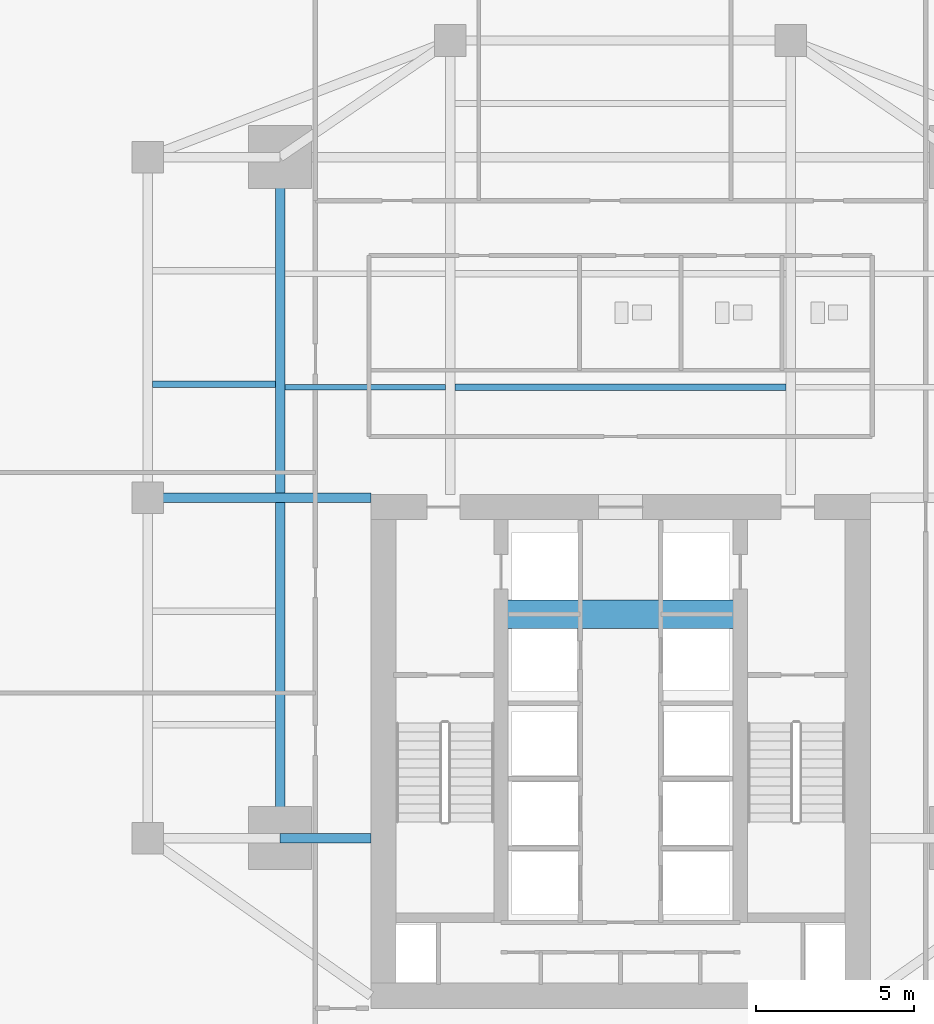
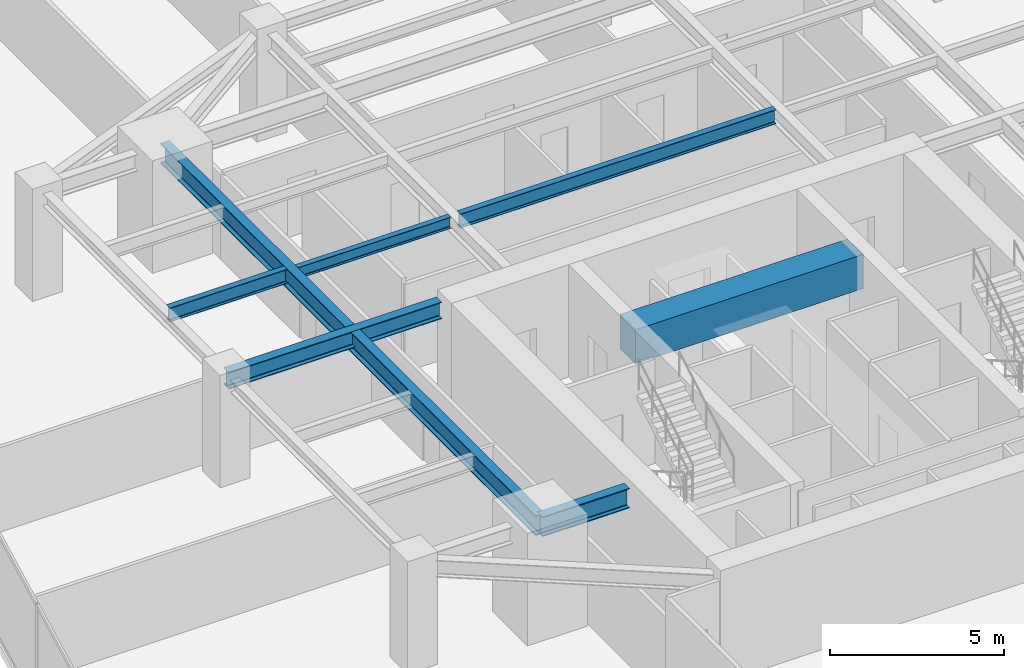
# One storey, part 9 of 26: 7 beams.
"""IFC4 building model written with IfcOpenShell, lengths in metres."""

from ifc_helpers import new_model, si_unit, direction, frame, origin, origin_2d, place, context, subcontext, project, spatial, rectangle, i_section, extrude, source, transform, mapped, material, material_profile, profile_set, type_object, type_shapes, element, save


model = new_model("IFC4")

# Units and contexts
model_context = context("Model", 3, precision=1e-05, world=origin(), true_north=direction((0.0, 1.0)))
body_context = subcontext(model_context, "Body", "Model", "MODEL_VIEW")
ifc_project = project(units=[si_unit("LENGTHUNIT", "METRE"), si_unit("AREAUNIT", "SQUARE_METRE"), si_unit("VOLUMEUNIT", "CUBIC_METRE"), si_unit("PLANEANGLEUNIT", "RADIAN"), si_unit("MASSUNIT", "GRAM", prefix="KILO")], contexts=[model_context])

# Site, building, storey
site_placement = place(None, origin())
site = spatial("IfcSite", under=ifc_project, at=site_placement, CompositionType="ELEMENT")
building_placement = place(site_placement, origin())
building = spatial("IfcBuilding", under=site, at=building_placement, Name="Krantzveldt Concourse Tower", CompositionType="ELEMENT")
storey_placement = place(building_placement, frame((0.0, 0.0, 90.050048828125)))
storey = spatial("IfcBuildingStorey", under=building, at=storey_placement, Name="L21", CompositionType="ELEMENT", Elevation=90.050048828125)

# Beams
ifc_material_1 = material(Name="Concrete C50/60", Category="concrete")
ifc_material_profile_1 = material_profile(ifc_material_1, rectangle(XDim=0.89990234375, YDim=1.199951171875, at=origin_2d()), Name="Concrete C50/60", Category="concrete")
ifc_profile_set_1 = profile_set([ifc_material_profile_1], Name="Concrete C50/60 - RC-CB 900x1200")
beam_type_1 = type_object("IfcBeamType", Name="BM-CB-1200", PredefinedType="LINTEL", material=ifc_profile_set_1)
shared_shape_1 = source(origin(), body_context, "Body", "SweptSolid", [
    extrude(rectangle(XDim=0.89990234375, YDim=1.199951171875, at=origin_2d()), origin(), (0.0, 0.0, 1.0), 7.580078125),
])
type_shapes(beam_type_1, [shared_shape_1])
beam_1_placement = place(storey_placement, frame((32.2099609375, 23.0, 3.070068359375), z_axis=(1.0, 0.0, 0.0), x_axis=(0.0, 1.0, 0.0)))
element("IfcBeam", 1, at=beam_1_placement, inside=storey, type_object=beam_type_1, Name="CB-L21-01", PredefinedType="LINTEL", context=body_context, shape_type="MappedRepresentation", body=[
    mapped(shared_shape_1, transform((0.0, 0.0, 0.0), x_axis=(1.0, 0.0, 0.0), y_axis=(0.0, 1.0, 0.0), z_axis=(0.0, 0.0, 1.0), scale=1.0)),
])
ifc_material_2 = material(Name="Steel S355J2", Category="steel")
ifc_material_profile_2 = material_profile(ifc_material_2, i_section(OverallWidth=0.300048828125, OverallDepth=0.699951171875, WebThickness=0.01708984375, FlangeThickness=0.031982421875, FilletRadius=0.027099609375, at=origin_2d()), Name="Steel S355J2", Category="steel")
ifc_profile_set_2 = profile_set([ifc_material_profile_2], Name="Steel S355J2 - HEB 700")
beam_type_2 = type_object("IfcBeamType", Name="BM-B-HEB700", PredefinedType="BEAM", material=ifc_profile_set_2)
shared_shape_2 = source(origin(), body_context, "Body", "SweptSolid", [
    extrude(i_section(OverallWidth=0.300048828125, OverallDepth=0.699951171875, WebThickness=0.01708984375, FlangeThickness=0.031982421875, FilletRadius=0.027099609375, at=origin_2d()), origin(), (0.0, 0.0, 1.0), 2.880126953125),
])
beam_2_placement = place(storey_placement, frame((25.199951171875, 15.89990234375, 3.320068359375), z_axis=(1.0, 0.0, 0.0), x_axis=(0.0, 1.0, 0.0)))
element("IfcBeam", 2, at=beam_2_placement, inside=storey, type_object=beam_type_2, Name="L21 Tower Girder BG-CW1", PredefinedType="BEAM", context=body_context, shape_type="MappedRepresentation", body=[
    mapped(shared_shape_2, transform((0.0, 0.0, 0.0), x_axis=(1.0, 0.0, 0.0), y_axis=(0.0, 1.0, 0.0), z_axis=(0.0, 0.0, 1.0), scale=1.0)),
])
shared_shape_3 = source(origin(), body_context, "Body", "SweptSolid", [
    extrude(i_section(OverallWidth=0.300048828125, OverallDepth=0.699951171875, WebThickness=0.01708984375, FlangeThickness=0.031982421875, FilletRadius=0.027099609375, at=origin_2d()), origin(), (0.0, 0.0, 1.0), 21.60009765625),
])
type_shapes(beam_type_2, [shared_shape_2, shared_shape_3])
beam_3_placement = place(storey_placement, frame((25.199951171875, 15.89990234375, 3.320068359375), z_axis=(0.0, 1.0, 0.0), x_axis=(-1.0, 0.0, 0.0)))
element("IfcBeam", 3, at=beam_3_placement, inside=storey, type_object=beam_type_2, Name="L21 Tower Girder BG-MW", PredefinedType="BEAM", context=body_context, shape_type="MappedRepresentation", body=[
    mapped(shared_shape_3, transform((0.0, 0.0, 0.0), x_axis=(1.0, 0.0, 0.0), y_axis=(0.0, 1.0, 0.0), z_axis=(0.0, 0.0, 1.0), scale=1.0)),
])
ifc_material_3 = material(Name="Steel S355JR", Category="steel")
ifc_material_profile_3 = material_profile(ifc_material_3, i_section(OverallWidth=0.300048828125, OverallDepth=0.590087890625, WebThickness=0.012939453125, FlangeThickness=0.02490234375, FilletRadius=0.027099609375, at=origin_2d()), Name="Steel S355JR", Category="steel")
ifc_profile_set_3 = profile_set([ifc_material_profile_3], Name="Steel S355JR - HEA 600")
beam_type_3 = type_object("IfcBeamType", Name="BM-B-HEA600", PredefinedType="BEAM", material=ifc_profile_set_3)
shared_shape_4 = source(origin(), body_context, "Body", "SweptSolid", [
    extrude(i_section(OverallWidth=0.300048828125, OverallDepth=0.590087890625, WebThickness=0.012939453125, FlangeThickness=0.02490234375, FilletRadius=0.027099609375, at=origin_2d()), origin(), (0.0, 0.0, 1.0), 7.080078125),
])
type_shapes(beam_type_3, [shared_shape_4])
beam_4_placement = place(storey_placement, frame((21.0, 26.699951171875, 3.375), z_axis=(1.0, 0.0, 0.0), x_axis=(0.0, 1.0, 0.0)))
element("IfcBeam", 4, at=beam_4_placement, inside=storey, type_object=beam_type_3, Name="L21 Tower Girder BG-CW2", PredefinedType="BEAM", context=body_context, shape_type="MappedRepresentation", body=[
    mapped(shared_shape_4, transform((0.0, 0.0, 0.0), x_axis=(1.0, 0.0, 0.0), y_axis=(0.0, 1.0, 0.0), z_axis=(0.0, 0.0, 1.0), scale=1.0)),
])
ifc_material_profile_4 = material_profile(ifc_material_3, i_section(OverallWidth=0.199951171875, OverallDepth=0.5, WebThickness=0.01025390625, FlangeThickness=0.01611328125, FilletRadius=0.02099609375, at=origin_2d()), Name="Steel S355JR", Category="steel")
ifc_profile_set_4 = profile_set([ifc_material_profile_4], Name="Steel S355JR - IPE 500")
beam_type_4 = type_object("IfcBeamType", Name="BM-J-IPE500", PredefinedType="JOIST", material=ifc_profile_set_4)
shared_shape_5 = source(origin(), body_context, "Body", "SweptSolid", [
    extrude(i_section(OverallWidth=0.199951171875, OverallDepth=0.5, WebThickness=0.01025390625, FlangeThickness=0.01611328125, FilletRadius=0.02099609375, at=origin_2d()), origin(), (0.0, 0.0, 1.0), 10.5),
])
beam_5_placement = place(storey_placement, frame((30.75, 30.199951171875, 3.419921875), z_axis=(1.0, 0.0, 0.0), x_axis=(0.0, 1.0, 0.0)))
element("IfcBeam", 5, at=beam_5_placement, inside=storey, type_object=beam_type_4, Name="L21 Secondary Floor Joist JN-C1", PredefinedType="JOIST", context=body_context, shape_type="MappedRepresentation", body=[
    mapped(shared_shape_5, transform((0.0, 0.0, 0.0), x_axis=(1.0, 0.0, 0.0), y_axis=(0.0, 1.0, 0.0), z_axis=(0.0, 0.0, 1.0), scale=1.0)),
])
ifc_material_profile_5 = material_profile(ifc_material_3, i_section(OverallWidth=0.179931640625, OverallDepth=0.39990234375, WebThickness=0.008544921875, FlangeThickness=0.013427734375, FilletRadius=0.02099609375, at=origin_2d()), Name="Steel S355JR", Category="steel")
ifc_profile_set_5 = profile_set([ifc_material_profile_5], Name="Steel S355JR - IPE 400")
beam_type_5 = type_object("IfcBeamType", Name="BM-J-IPE400", PredefinedType="JOIST", material=ifc_profile_set_5)
shared_shape_6 = source(origin(), body_context, "Body", "SweptSolid", [
    extrude(i_section(OverallWidth=0.179931640625, OverallDepth=0.39990234375, WebThickness=0.008544921875, FlangeThickness=0.013427734375, FilletRadius=0.02099609375, at=origin_2d()), origin(), (0.0, 0.0, 1.0), 5.099853515625),
])
type_shapes(beam_type_5, [shared_shape_6])
beam_6_placement = place(storey_placement, frame((25.35009765625, 30.199951171875, 3.469970703125), z_axis=(1.0, 0.0, 0.0), x_axis=(0.0, 1.0, 0.0)))
element("IfcBeam", 6, at=beam_6_placement, inside=storey, type_object=beam_type_5, Name="L21 Secondary Floor Joist JN-W1", PredefinedType="JOIST", context=body_context, shape_type="MappedRepresentation", body=[
    mapped(shared_shape_6, transform((0.0, 0.0, 0.0), x_axis=(1.0, 0.0, 0.0), y_axis=(0.0, 1.0, 0.0), z_axis=(0.0, 0.0, 1.0), scale=1.0)),
])
shared_shape_7 = source(origin(), body_context, "Body", "SweptSolid", [
    extrude(i_section(OverallWidth=0.199951171875, OverallDepth=0.5, WebThickness=0.01025390625, FlangeThickness=0.01611328125, FilletRadius=0.02099609375, at=origin_2d()), origin(), (0.0, 0.0, 1.0), 3.900146484375),
])
type_shapes(beam_type_4, [shared_shape_5, shared_shape_7])
beam_7_placement = place(storey_placement, frame((21.14990234375, 30.300048828125, 3.419921875), z_axis=(1.0, 0.0, 0.0), x_axis=(0.0, 1.0, 0.0)))
element("IfcBeam", 7, at=beam_7_placement, inside=storey, type_object=beam_type_4, Name="L21 Secondary Floor Joist JW-3", PredefinedType="JOIST", context=body_context, shape_type="MappedRepresentation", body=[
    mapped(shared_shape_7, transform((0.0, 0.0, 0.0), x_axis=(1.0, 0.0, 0.0), y_axis=(0.0, 1.0, 0.0), z_axis=(0.0, 0.0, 1.0), scale=1.0)),
])

save(model, "model.ifc")
